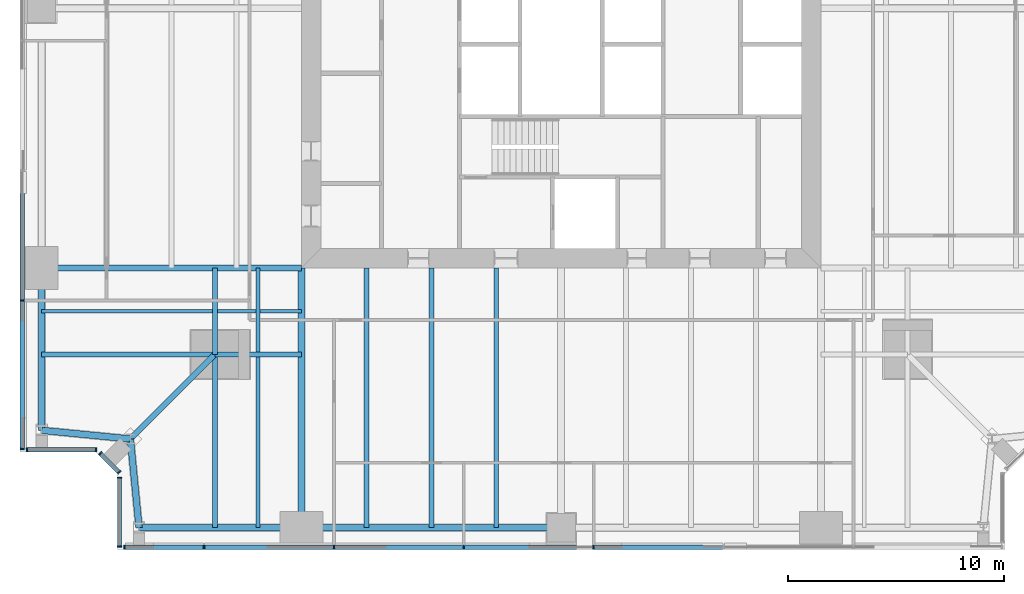
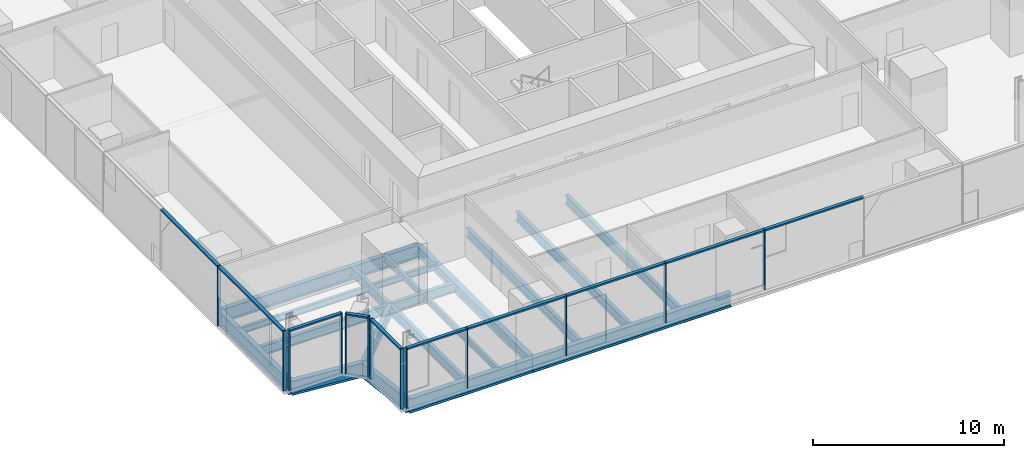
# One storey, part 2 of 14: 23 members, 20 beams, 5 elements without a shape of their own.
"""IFC4 building model written with IfcOpenShell, lengths in metres."""

from ifc_helpers import new_model, si_unit, direction, frame, origin, origin_2d, place, context, subcontext, project, spatial, rectangle, i_section, extrude, material, material_profile, profile_set, type_object, element, aggregate, save


model = new_model("IFC4")

# Units and contexts
model_context = context("Model", 3, precision=1e-05, world=origin(), true_north=direction((0.0, 1.0)))
body_context = subcontext(model_context, "Body", "Model", "MODEL_VIEW")
ifc_project = project(units=[si_unit("LENGTHUNIT", "METRE"), si_unit("AREAUNIT", "SQUARE_METRE"), si_unit("VOLUMEUNIT", "CUBIC_METRE"), si_unit("PLANEANGLEUNIT", "RADIAN"), si_unit("MASSUNIT", "GRAM", prefix="KILO")], contexts=[model_context])

# Site, building, storey
site_placement = place(None, origin())
site = spatial("IfcSite", under=ifc_project, at=site_placement, CompositionType="ELEMENT")
building_placement = place(site_placement, origin())
building = spatial("IfcBuilding", under=site, at=building_placement, Name="Fenwick Lantern Interchange", CompositionType="ELEMENT")
storey_placement = place(building_placement, frame((0.0, 0.0, 150.39990234375)))
storey = spatial("IfcBuildingStorey", under=building, at=storey_placement, Name="L35", CompositionType="ELEMENT", Elevation=150.39990234375)

# Beams
ifc_material_1 = material(Name="Steel ASTM A992 Grade 50", Category="steel")
ifc_material_profile_1 = material_profile(ifc_material_1, i_section(OverallWidth=0.3046875, OverallDepth=0.911865234375, WebThickness=0.015869140625, FlangeThickness=0.02392578125, at=origin_2d()), Name="W36X150")
ifc_profile_set_1 = profile_set([ifc_material_profile_1], Name="Steel ASTM A992 Grade 50")
beam_type_1 = type_object("IfcBeamType", Name="EDGE BEAM W36X150", PredefinedType="SPANDREL", material=ifc_profile_set_1)
beam_1_placement = place(storey_placement, frame((5.5, 1.0, -0.605712890625), z_axis=(1.0, 0.0, 0.0), x_axis=(0.0, 1.0, 0.0)))
element("IfcBeam", 1, at=beam_1_placement, inside=storey, type_object=beam_type_1, Name="L35/FR/S/EB1", PredefinedType="SPANDREL", context=body_context, shape_type="SweptSolid", body=[
    extrude(i_section(OverallWidth=0.3046875, OverallDepth=0.911865234375, WebThickness=0.015869140625, FlangeThickness=0.02392578125, at=origin_2d()), origin(), (0.0, 0.0, 1.0), 7.5),
])
beam_2_placement = place(storey_placement, frame((13.0, 1.0, -0.605712890625), z_axis=(1.0, 0.0, 0.0), x_axis=(0.0, 1.0, 0.0)))
element("IfcBeam", 2, at=beam_2_placement, inside=storey, type_object=beam_type_1, Name="L35/FR/S/EB2", PredefinedType="SPANDREL", context=body_context, shape_type="SweptSolid", body=[
    extrude(i_section(OverallWidth=0.3046875, OverallDepth=0.911865234375, WebThickness=0.015869140625, FlangeThickness=0.02392578125, at=origin_2d()), origin(), (0.0, 0.0, 1.0), 12.0),
])
beam_3_placement = place(storey_placement, frame((1.0, 13.0, -0.605712890625), z_axis=(0.0, -1.0, 0.0), x_axis=(1.0, 0.0, 0.0)))
element("IfcBeam", 3, at=beam_3_placement, inside=storey, type_object=beam_type_1, Name="L35/FR/W/EB4", PredefinedType="SPANDREL", context=body_context, shape_type="SweptSolid", body=[
    extrude(i_section(OverallWidth=0.3046875, OverallDepth=0.911865234375, WebThickness=0.015869140625, FlangeThickness=0.02392578125, at=origin_2d()), origin(), (0.0, 0.0, 1.0), 7.5),
])
for number, where, z_axis, x_axis, name in (
    (4, (1.0, 5.5, -0.605712890625), (0.995277148028, -0.097074191287, 0.0), (0.097074191287, 0.995277148028, 0.0), "L35/FR/W/EBR1"),
    (5, (5.10009765625, 5.10009765625, -0.605712890625), (0.097074191287, -0.995277148028, 0.0), (0.995277148028, 0.097074191287, 0.0), "L35/FR/W/EBR2"),
):
    element("IfcBeam", number, at=place(storey_placement, frame(where, z_axis=z_axis, x_axis=x_axis)), inside=storey, type_object=beam_type_1, Name=name, PredefinedType="SPANDREL", context=body_context, shape_type="SweptSolid", body=[
        extrude(i_section(OverallWidth=0.3046875, OverallDepth=0.911865234375, WebThickness=0.015869140625, FlangeThickness=0.02392578125, at=origin_2d()), origin(), (0.0, 0.0, 1.0), 4.11962890625),
    ])
ifc_material_profile_2 = material_profile(ifc_material_1, i_section(OverallWidth=0.22900390625, OverallDepth=0.612060546875, WebThickness=0.011962890625, FlangeThickness=0.01953125, at=origin_2d()), Name="W24X84")
ifc_profile_set_2 = profile_set([ifc_material_profile_2], Name="Steel ASTM A992 Grade 50")
beam_type_2 = type_object("IfcBeamType", Name="FLOOR BEAM W24X84", PredefinedType="BEAM", material=ifc_profile_set_2)
for number, where, z_axis, x_axis, name in (
    (6, (16.0, 1.0, -0.4560546875), (0.0, 1.0, 0.0), (-1.0, 0.0, 0.0), "L35/FR/S/R02"),
    (7, (19.0, 1.0, -0.4560546875), (0.0, 1.0, 0.0), (-1.0, 0.0, 0.0), "L35/FR/S/R03"),
    (8, (22.0, 1.0, -0.4560546875), (0.0, 1.0, 0.0), (-1.0, 0.0, 0.0), "L35/FR/S/R04"),
):
    element("IfcBeam", number, at=place(storey_placement, frame(where, z_axis=z_axis, x_axis=x_axis)), inside=storey, type_object=beam_type_2, Name=name, PredefinedType="BEAM", context=body_context, shape_type="SweptSolid", body=[
        extrude(i_section(OverallWidth=0.22900390625, OverallDepth=0.612060546875, WebThickness=0.011962890625, FlangeThickness=0.01953125, at=origin_2d()), origin(), (0.0, 0.0, 1.0), 12.0),
    ])
ifc_material_profile_3 = material_profile(ifc_material_1, i_section(OverallWidth=0.177734375, OverallDepth=0.406494140625, WebThickness=0.0078125, FlangeThickness=0.012939453125, at=origin_2d()), Name="W16X40")
ifc_profile_set_3 = profile_set([ifc_material_profile_3], Name="Steel ASTM A992 Grade 50")
beam_type_3 = type_object("IfcBeamType", Name="INFILL BEAM W16X40", PredefinedType="JOIST", material=ifc_profile_set_3)
beam_4_placement = place(storey_placement, frame((11.0, 1.0, -0.35302734375), z_axis=(0.0, 1.0, 0.0), x_axis=(-1.0, 0.0, 0.0)))
element("IfcBeam", 9, at=beam_4_placement, inside=storey, type_object=beam_type_3, Name="L35/FR/S/J1", PredefinedType="JOIST", context=body_context, shape_type="SweptSolid", body=[
    extrude(i_section(OverallWidth=0.177734375, OverallDepth=0.406494140625, WebThickness=0.0078125, FlangeThickness=0.012939453125, at=origin_2d()), origin(), (0.0, 0.0, 1.0), 7.885498046875),
])
beam_5_placement = place(storey_placement, frame((11.0, 9.114501953125, -0.35302734375), z_axis=(0.0, 1.0, 0.0), x_axis=(-1.0, 0.0, 0.0)))
element("IfcBeam", 10, at=beam_5_placement, inside=storey, type_object=beam_type_3, Name="L35/FR/S/J2", PredefinedType="JOIST", context=body_context, shape_type="SweptSolid", body=[
    extrude(i_section(OverallWidth=0.177734375, OverallDepth=0.406494140625, WebThickness=0.0078125, FlangeThickness=0.012939453125, at=origin_2d()), origin(), (0.0, 0.0, 1.0), 3.885498046875),
])
beam_6_placement = place(storey_placement, frame((1.0, 11.0, -0.35302734375), z_axis=(1.0, 0.0, 0.0), x_axis=(0.0, 1.0, 0.0)))
element("IfcBeam", 11, at=beam_6_placement, inside=storey, type_object=beam_type_3, Name="L35/FR/S/J3", PredefinedType="JOIST", context=body_context, shape_type="SweptSolid", body=[
    extrude(i_section(OverallWidth=0.177734375, OverallDepth=0.406494140625, WebThickness=0.0078125, FlangeThickness=0.012939453125, at=origin_2d()), origin(), (0.0, 0.0, 1.0), 7.885498046875),
])
beam_7_placement = place(storey_placement, frame((9.114501953125, 11.0, -0.35302734375), z_axis=(1.0, 0.0, 0.0), x_axis=(0.0, 1.0, 0.0)))
element("IfcBeam", 12, at=beam_7_placement, inside=storey, type_object=beam_type_3, Name="L35/FR/S/J4", PredefinedType="JOIST", context=body_context, shape_type="SweptSolid", body=[
    extrude(i_section(OverallWidth=0.177734375, OverallDepth=0.406494140625, WebThickness=0.0078125, FlangeThickness=0.012939453125, at=origin_2d()), origin(), (0.0, 0.0, 1.0), 1.796630859375),
])
beam_8_placement = place(storey_placement, frame((11.0888671875, 11.0, -0.35302734375), z_axis=(1.0, 0.0, 0.0), x_axis=(0.0, 1.0, 0.0)))
element("IfcBeam", 13, at=beam_8_placement, inside=storey, type_object=beam_type_3, Name="L35/FR/S/J5", PredefinedType="JOIST", context=body_context, shape_type="SweptSolid", body=[
    extrude(i_section(OverallWidth=0.177734375, OverallDepth=0.406494140625, WebThickness=0.0078125, FlangeThickness=0.012939453125, at=origin_2d()), origin(), (0.0, 0.0, 1.0), 1.9111328125),
])
ifc_material_profile_4 = material_profile(ifc_material_1, i_section(OverallWidth=0.22900390625, OverallDepth=0.612060546875, WebThickness=0.011962890625, FlangeThickness=0.01953125, at=origin_2d()), Name="W24X84")
ifc_profile_set_4 = profile_set([ifc_material_profile_4], Name="Steel ASTM A992 Grade 50")
beam_type_4 = type_object("IfcBeamType", Name="MEGA COLUMN BEAM W24X84", PredefinedType="BEAM", material=ifc_profile_set_4)
for number, where, z_axis, x_axis, name in (
    (14, (9.0, 9.0, -0.4560546875), (0.0, -1.0, 0.0), (1.0, 0.0, 0.0), "L35/FR/S/MB1"),
    (15, (9.0, 9.0, -0.4560546875), (-1.0, 0.0, 0.0), (0.0, -1.0, 0.0), "L35/FR/S/MB2"),
):
    element("IfcBeam", number, at=place(storey_placement, frame(where, z_axis=z_axis, x_axis=x_axis)), inside=storey, type_object=beam_type_4, Name=name, PredefinedType="BEAM", context=body_context, shape_type="SweptSolid", body=[
        extrude(i_section(OverallWidth=0.22900390625, OverallDepth=0.612060546875, WebThickness=0.011962890625, FlangeThickness=0.01953125, at=origin_2d()), origin(), (0.0, 0.0, 1.0), 8.0),
    ])
for number, where, z_axis, x_axis, name in (
    (16, (9.0, 9.0, -0.4560546875), (1.0, 0.0, 0.0), (0.0, 1.0, 0.0), "L35/FR/S/MB3"),
    (17, (9.0, 9.0, -0.4560546875), (0.0, 1.0, 0.0), (-1.0, 0.0, 0.0), "L35/FR/S/MB4"),
):
    element("IfcBeam", number, at=place(storey_placement, frame(where, z_axis=z_axis, x_axis=x_axis)), inside=storey, type_object=beam_type_4, Name=name, PredefinedType="BEAM", context=body_context, shape_type="SweptSolid", body=[
        extrude(i_section(OverallWidth=0.22900390625, OverallDepth=0.612060546875, WebThickness=0.011962890625, FlangeThickness=0.01953125, at=origin_2d()), origin(), (0.0, 0.0, 1.0), 4.0),
    ])
ifc_material_profile_5 = material_profile(ifc_material_1, i_section(OverallWidth=0.32763671875, OverallDepth=0.622314453125, WebThickness=0.015380859375, FlangeThickness=0.0244140625, at=origin_2d()), Name="W24X131")
ifc_profile_set_5 = profile_set([ifc_material_profile_5], Name="Steel ASTM A992 Grade 50")
beam_type_5 = type_object("IfcBeamType", Name="MOMENT-CONNECTED GIRDER W24X131", PredefinedType="BEAM", material=ifc_profile_set_5)
beam_9_placement = place(storey_placement, frame((13.0, 1.0, -0.4609375), z_axis=(0.0, 1.0, 0.0), x_axis=(-1.0, 0.0, 0.0)))
element("IfcBeam", 18, at=beam_9_placement, inside=storey, type_object=beam_type_5, Name="L35/FR/S/R01", PredefinedType="BEAM", context=body_context, shape_type="SweptSolid", body=[
    extrude(i_section(OverallWidth=0.32763671875, OverallDepth=0.622314453125, WebThickness=0.015380859375, FlangeThickness=0.0244140625, at=origin_2d()), origin(), (0.0, 0.0, 1.0), 12.0),
])
ifc_material_profile_6 = material_profile(ifc_material_1, i_section(OverallWidth=0.2919921875, OverallDepth=0.845703125, WebThickness=0.015380859375, FlangeThickness=0.0244140625, at=origin_2d()), Name="W33X141")
ifc_profile_set_6 = profile_set([ifc_material_profile_6], Name="Steel ASTM A992 Grade 50")
beam_type_6 = type_object("IfcBeamType", Name="MOMENT-CONNECTED GIRDER W33X141", PredefinedType="BEAM", material=ifc_profile_set_6)
beam_10_placement = place(storey_placement, frame((1.0, 13.0, -0.57275390625), z_axis=(1.0, 0.0, 0.0), x_axis=(0.0, 1.0, 0.0)))
element("IfcBeam", 19, at=beam_10_placement, inside=storey, type_object=beam_type_6, Name="L35/FR/W/R03", PredefinedType="BEAM", context=body_context, shape_type="SweptSolid", body=[
    extrude(i_section(OverallWidth=0.2919921875, OverallDepth=0.845703125, WebThickness=0.015380859375, FlangeThickness=0.0244140625, at=origin_2d()), origin(), (0.0, 0.0, 1.0), 12.0),
])
ifc_material_profile_7 = material_profile(ifc_material_1, i_section(OverallWidth=0.2666015625, OverallDepth=0.7568359375, WebThickness=0.013916015625, FlangeThickness=0.019287109375, at=origin_2d()), Name="W30X108")
ifc_profile_set_7 = profile_set([ifc_material_profile_7], Name="Steel ASTM A992 Grade 50")
beam_type_7 = type_object("IfcBeamType", Name="NOTCH BEAM W30X108", PredefinedType="BEAM", material=ifc_profile_set_7)
beam_11_placement = place(storey_placement, frame((9.0, 9.0, -0.5283203125), z_axis=(-0.707106781187, -0.707106781187, 0.0), x_axis=(0.707106781187, -0.707106781187, 0.0)))
element("IfcBeam", 20, at=beam_11_placement, inside=storey, type_object=beam_type_7, Name="L35/FR/S/TG", PredefinedType="BEAM", context=body_context, shape_type="SweptSolid", body=[
    extrude(i_section(OverallWidth=0.2666015625, OverallDepth=0.7568359375, WebThickness=0.013916015625, FlangeThickness=0.019287109375, at=origin_2d()), origin(), (0.0, 0.0, 1.0), 5.515380859375),
])

# Curtain wall, members
ifc_material_2 = material(Name="Aluminium curtain wall frame", Category="aluminium")
curtain_wall_type = type_object("IfcCurtainWallType", Name="OFFICE CURTAIN WALL", PredefinedType="USERDEFINED", material=ifc_material_2)
curtain_wall_1_placement = place(storey_placement, origin())
curtain_wall_1 = element("IfcCurtainWall", 21, at=curtain_wall_1_placement, inside=storey, type_object=curtain_wall_type, Name="Office curtain wall 01", ObjectType="OFFICE CURTAIN WALL", PredefinedType="USERDEFINED")
ifc_material_3 = material(Name="Aluminium extrusion", Category="aluminium")
ifc_material_profile_8 = material_profile(ifc_material_3, rectangle(XDim=0.199951171875, YDim=0.06494140625, at=origin_2d()), Name="OFFICE CURTAIN WALL MULLION 65 X 200")
ifc_profile_set_8 = profile_set([ifc_material_profile_8], Name="Aluminium extrusion")
member_type_1 = type_object("IfcMemberType", Name="OFFICE CURTAIN WALL MULLION 65 X 200", PredefinedType="MULLION", material=ifc_profile_set_8)
member_1_placement = place(storey_placement, frame((4.83251953125, 0.10009765625, 0.0), z_axis=(0.0, 0.0, 1.0), x_axis=(0.0, 1.0, 0.0)))
member_1 = element("IfcMember", 22, at=member_1_placement, type_object=member_type_1, Name="L35/CW/01/M00", PredefinedType="MULLION", context=body_context, shape_type="SweptSolid", body=[
    extrude(rectangle(XDim=0.199951171875, YDim=0.06494140625, at=origin_2d()), origin(), (0.0, 0.0, 1.0), 3.85009765625),
])
member_2_placement = place(storey_placement, frame((8.5, 0.10009765625, 0.0), z_axis=(0.0, 0.0, 1.0), x_axis=(0.0, 1.0, 0.0)))
member_2 = element("IfcMember", 23, at=member_2_placement, type_object=member_type_1, Name="L35/CW/01/M01", PredefinedType="MULLION", context=body_context, shape_type="SweptSolid", body=[
    extrude(rectangle(XDim=0.199951171875, YDim=0.06494140625, at=origin_2d()), origin(), (0.0, 0.0, 1.0), 3.85009765625),
])
member_3_placement = place(storey_placement, frame((14.5, 0.10009765625, 0.0), z_axis=(0.0, 0.0, 1.0), x_axis=(0.0, 1.0, 0.0)))
member_3 = element("IfcMember", 24, at=member_3_placement, type_object=member_type_1, Name="L35/CW/01/M02", PredefinedType="MULLION", context=body_context, shape_type="SweptSolid", body=[
    extrude(rectangle(XDim=0.199951171875, YDim=0.06494140625, at=origin_2d()), origin(), (0.0, 0.0, 1.0), 3.85009765625),
])
member_4_placement = place(storey_placement, frame((20.5, 0.10009765625, 0.0), z_axis=(0.0, 0.0, 1.0), x_axis=(0.0, 1.0, 0.0)))
member_4 = element("IfcMember", 25, at=member_4_placement, type_object=member_type_1, Name="L35/CW/01/M03", PredefinedType="MULLION", context=body_context, shape_type="SweptSolid", body=[
    extrude(rectangle(XDim=0.199951171875, YDim=0.06494140625, at=origin_2d()), origin(), (0.0, 0.0, 1.0), 3.85009765625),
])
member_5_placement = place(storey_placement, frame((26.5, 0.10009765625, 0.0), z_axis=(0.0, 0.0, 1.0), x_axis=(0.0, 1.0, 0.0)))
member_5 = element("IfcMember", 26, at=member_5_placement, type_object=member_type_1, Name="L35/CW/01/M04", PredefinedType="MULLION", context=body_context, shape_type="SweptSolid", body=[
    extrude(rectangle(XDim=0.199951171875, YDim=0.06494140625, at=origin_2d()), origin(), (0.0, 0.0, 1.0), 3.85009765625),
])

curtain_wall_2_placement = place(storey_placement, origin())
curtain_wall_2 = element("IfcCurtainWall", 27, at=curtain_wall_2_placement, inside=storey, type_object=curtain_wall_type, Name="Office curtain wall 13", ObjectType="OFFICE CURTAIN WALL", PredefinedType="USERDEFINED")
member_6_placement = place(storey_placement, frame((0.10009765625, 11.5, 0.0), z_axis=(0.0, 0.0, 1.0), x_axis=(1.0, 0.0, 0.0)))
member_6 = element("IfcMember", 28, at=member_6_placement, type_object=member_type_1, Name="L35/CW/13/M06", PredefinedType="MULLION", context=body_context, shape_type="SweptSolid", body=[
    extrude(rectangle(XDim=0.199951171875, YDim=0.06494140625, at=origin_2d()), origin(), (0.0, 0.0, 1.0), 3.85009765625),
])
member_7_placement = place(storey_placement, frame((0.10009765625, 4.632568359375, 0.0), z_axis=(0.0, 0.0, 1.0), x_axis=(1.0, 0.0, 0.0)))
member_7 = element("IfcMember", 29, at=member_7_placement, type_object=member_type_1, Name="L35/CW/13/M07", PredefinedType="MULLION", context=body_context, shape_type="SweptSolid", body=[
    extrude(rectangle(XDim=0.199951171875, YDim=0.06494140625, at=origin_2d()), origin(), (0.0, 0.0, 1.0), 3.85009765625),
])

curtain_wall_3_placement = place(storey_placement, origin())
curtain_wall_3 = element("IfcCurtainWall", 30, at=curtain_wall_3_placement, inside=storey, type_object=curtain_wall_type, Name="Office curtain wall 14", ObjectType="OFFICE CURTAIN WALL", PredefinedType="USERDEFINED")
member_8_placement = place(storey_placement, frame((0.33251953125, 4.60009765625, 0.0), z_axis=(0.0, 0.0, 1.0), x_axis=(0.0, 1.0, 0.0)))
member_8 = element("IfcMember", 31, at=member_8_placement, type_object=member_type_1, Name="L35/CW/14/M00", PredefinedType="MULLION", context=body_context, shape_type="SweptSolid", body=[
    extrude(rectangle(XDim=0.199951171875, YDim=0.06494140625, at=origin_2d()), origin(), (0.0, 0.0, 1.0), 3.85009765625),
])
member_9_placement = place(storey_placement, frame((3.509033203125, 4.60009765625, 0.0), z_axis=(0.0, 0.0, 1.0), x_axis=(0.0, 1.0, 0.0)))
member_9 = element("IfcMember", 32, at=member_9_placement, type_object=member_type_1, Name="L35/CW/14/M01", PredefinedType="MULLION", context=body_context, shape_type="SweptSolid", body=[
    extrude(rectangle(XDim=0.199951171875, YDim=0.06494140625, at=origin_2d()), origin(), (0.0, 0.0, 1.0), 3.85009765625),
])

curtain_wall_4_placement = place(storey_placement, origin())
curtain_wall_4 = element("IfcCurtainWall", 33, at=curtain_wall_4_placement, inside=storey, type_object=curtain_wall_type, Name="Office curtain wall 15", ObjectType="OFFICE CURTAIN WALL", PredefinedType="USERDEFINED")
member_10_placement = place(storey_placement, frame((3.705810546875, 4.435546875, 0.0), z_axis=(0.0, 0.0, 1.0), x_axis=(0.707106781187, 0.707106781187, 0.0)))
member_10 = element("IfcMember", 34, at=member_10_placement, type_object=member_type_1, Name="L35/CW/15/M00", PredefinedType="MULLION", context=body_context, shape_type="SweptSolid", body=[
    extrude(rectangle(XDim=0.199951171875, YDim=0.06494140625, at=origin_2d()), origin(), (0.0, 0.0, 1.0), 3.85009765625),
])
member_11_placement = place(storey_placement, frame((4.576904296875, 3.564453125, 0.0), z_axis=(0.0, 0.0, 1.0), x_axis=(0.707106781187, 0.707106781187, 0.0)))
member_11 = element("IfcMember", 35, at=member_11_placement, type_object=member_type_1, Name="L35/CW/15/M01", PredefinedType="MULLION", context=body_context, shape_type="SweptSolid", body=[
    extrude(rectangle(XDim=0.199951171875, YDim=0.06494140625, at=origin_2d()), origin(), (0.0, 0.0, 1.0), 3.85009765625),
])

curtain_wall_5_placement = place(storey_placement, origin())
curtain_wall_5 = element("IfcCurtainWall", 36, at=curtain_wall_5_placement, inside=storey, type_object=curtain_wall_type, Name="Office curtain wall 16", ObjectType="OFFICE CURTAIN WALL", PredefinedType="USERDEFINED")
member_12_placement = place(storey_placement, frame((4.60009765625, 3.308837890625, 0.0), z_axis=(0.0, 0.0, 1.0), x_axis=(1.0, 0.0, 0.0)))
member_12 = element("IfcMember", 37, at=member_12_placement, type_object=member_type_1, Name="L35/CW/16/M00", PredefinedType="MULLION", context=body_context, shape_type="SweptSolid", body=[
    extrude(rectangle(XDim=0.199951171875, YDim=0.06494140625, at=origin_2d()), origin(), (0.0, 0.0, 1.0), 3.85009765625),
])
member_13_placement = place(storey_placement, frame((4.60009765625, 0.132568359375, 0.0), z_axis=(0.0, 0.0, 1.0), x_axis=(1.0, 0.0, 0.0)))
member_13 = element("IfcMember", 38, at=member_13_placement, type_object=member_type_1, Name="L35/CW/16/M01", PredefinedType="MULLION", context=body_context, shape_type="SweptSolid", body=[
    extrude(rectangle(XDim=0.199951171875, YDim=0.06494140625, at=origin_2d()), origin(), (0.0, 0.0, 1.0), 3.85009765625),
])

# Member
ifc_material_profile_9 = material_profile(ifc_material_3, rectangle(XDim=0.199951171875, YDim=0.10009765625, at=origin_2d()), Name="OFFICE CURTAIN WALL TRANSOM 100 X 200")
ifc_profile_set_9 = profile_set([ifc_material_profile_9], Name="Aluminium extrusion")
member_type_2 = type_object("IfcMemberType", Name="OFFICE CURTAIN WALL TRANSOM 100 X 200", PredefinedType="MULLION", material=ifc_profile_set_9)
member_14_placement = place(storey_placement, frame((4.864990234375, 0.10009765625, 3.800048828125), z_axis=(1.0, 0.0, 0.0), x_axis=(0.0, 1.0, 0.0)))
member_14 = element("IfcMember", 39, at=member_14_placement, type_object=member_type_2, Name="L35/CW/01/T00", PredefinedType="MULLION", context=body_context, shape_type="SweptSolid", body=[
    extrude(rectangle(XDim=0.199951171875, YDim=0.10009765625, at=origin_2d()), origin(), (0.0, 0.0, 1.0), 3.6025390625),
])

member_15_placement = place(storey_placement, frame((8.532470703125, 0.10009765625, 3.800048828125), z_axis=(1.0, 0.0, 0.0), x_axis=(0.0, 1.0, 0.0)))
member_15 = element("IfcMember", 40, at=member_15_placement, type_object=member_type_2, Name="L35/CW/01/T01", PredefinedType="MULLION", context=body_context, shape_type="SweptSolid", body=[
    extrude(rectangle(XDim=0.199951171875, YDim=0.10009765625, at=origin_2d()), origin(), (0.0, 0.0, 1.0), 5.93505859375),
])

member_16_placement = place(storey_placement, frame((14.532470703125, 0.10009765625, 3.800048828125), z_axis=(1.0, 0.0, 0.0), x_axis=(0.0, 1.0, 0.0)))
member_16 = element("IfcMember", 41, at=member_16_placement, type_object=member_type_2, Name="L35/CW/01/T02", PredefinedType="MULLION", context=body_context, shape_type="SweptSolid", body=[
    extrude(rectangle(XDim=0.199951171875, YDim=0.10009765625, at=origin_2d()), origin(), (0.0, 0.0, 1.0), 5.93505859375),
])

member_17_placement = place(storey_placement, frame((20.532470703125, 0.10009765625, 3.800048828125), z_axis=(1.0, 0.0, 0.0), x_axis=(0.0, 1.0, 0.0)))
member_17 = element("IfcMember", 42, at=member_17_placement, type_object=member_type_2, Name="L35/CW/01/T03", PredefinedType="MULLION", context=body_context, shape_type="SweptSolid", body=[
    extrude(rectangle(XDim=0.199951171875, YDim=0.10009765625, at=origin_2d()), origin(), (0.0, 0.0, 1.0), 5.93505859375),
])

member_18_placement = place(storey_placement, frame((26.532470703125, 0.10009765625, 3.800048828125), z_axis=(1.0, 0.0, 0.0), x_axis=(0.0, 1.0, 0.0)))
member_18 = element("IfcMember", 43, at=member_18_placement, type_object=member_type_2, Name="L35/CW/01/T04", PredefinedType="MULLION", context=body_context, shape_type="SweptSolid", body=[
    extrude(rectangle(XDim=0.199951171875, YDim=0.10009765625, at=origin_2d()), origin(), (0.0, 0.0, 1.0), 5.93505859375),
])

aggregate(curtain_wall_1, [member_1, member_2, member_3, member_4, member_5, member_14, member_15, member_16, member_17, member_18])

member_19_placement = place(storey_placement, frame((0.10009765625, 17.467529296875, 3.800048828125), z_axis=(0.0, -1.0, 0.0), x_axis=(1.0, 0.0, 0.0)))
member_19 = element("IfcMember", 44, at=member_19_placement, type_object=member_type_2, Name="L35/CW/13/T05", PredefinedType="MULLION", context=body_context, shape_type="SweptSolid", body=[
    extrude(rectangle(XDim=0.199951171875, YDim=0.10009765625, at=origin_2d()), origin(), (0.0, 0.0, 1.0), 5.93505859375),
])

member_20_placement = place(storey_placement, frame((0.10009765625, 11.467529296875, 3.800048828125), z_axis=(0.0, -1.0, 0.0), x_axis=(1.0, 0.0, 0.0)))
member_20 = element("IfcMember", 45, at=member_20_placement, type_object=member_type_2, Name="L35/CW/13/T06", PredefinedType="MULLION", context=body_context, shape_type="SweptSolid", body=[
    extrude(rectangle(XDim=0.199951171875, YDim=0.10009765625, at=origin_2d()), origin(), (0.0, 0.0, 1.0), 6.802490234375),
])

aggregate(curtain_wall_2, [member_6, member_7, member_19, member_20])

member_21_placement = place(storey_placement, frame((0.364990234375, 4.60009765625, 3.800048828125), z_axis=(1.0, 0.0, 0.0), x_axis=(0.0, 1.0, 0.0)))
member_21 = element("IfcMember", 46, at=member_21_placement, type_object=member_type_2, Name="L35/CW/14/T00", PredefinedType="MULLION", context=body_context, shape_type="SweptSolid", body=[
    extrude(rectangle(XDim=0.199951171875, YDim=0.10009765625, at=origin_2d()), origin(), (0.0, 0.0, 1.0), 3.111328125),
])

aggregate(curtain_wall_3, [member_8, member_9, member_21])

member_22_placement = place(storey_placement, frame((3.728759765625, 4.41259765625, 3.800048828125), z_axis=(0.707106781187, -0.707106781187, 0.0), x_axis=(0.707106781187, 0.707106781187, 0.0)))
member_22 = element("IfcMember", 47, at=member_22_placement, type_object=member_type_2, Name="L35/CW/15/T00", PredefinedType="MULLION", context=body_context, shape_type="SweptSolid", body=[
    extrude(rectangle(XDim=0.199951171875, YDim=0.10009765625, at=origin_2d()), origin(), (0.0, 0.0, 1.0), 1.1669921875),
])

aggregate(curtain_wall_4, [member_10, member_11, member_22])

member_23_placement = place(storey_placement, frame((4.60009765625, 3.2763671875, 3.800048828125), z_axis=(0.0, -1.0, 0.0), x_axis=(1.0, 0.0, 0.0)))
member_23 = element("IfcMember", 48, at=member_23_placement, type_object=member_type_2, Name="L35/CW/16/T00", PredefinedType="MULLION", context=body_context, shape_type="SweptSolid", body=[
    extrude(rectangle(XDim=0.199951171875, YDim=0.10009765625, at=origin_2d()), origin(), (0.0, 0.0, 1.0), 3.111328125),
])

aggregate(curtain_wall_5, [member_12, member_13, member_23])

save(model, "model.ifc")
